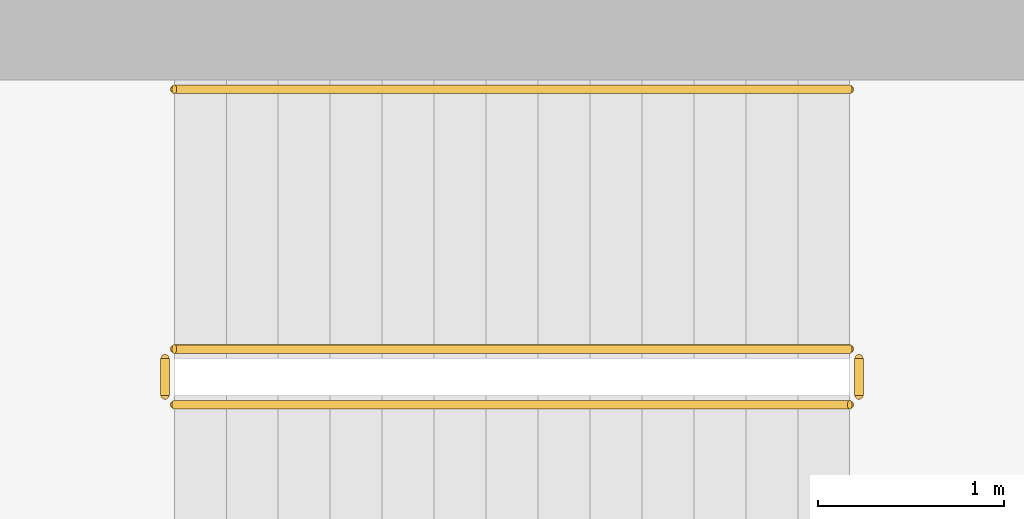
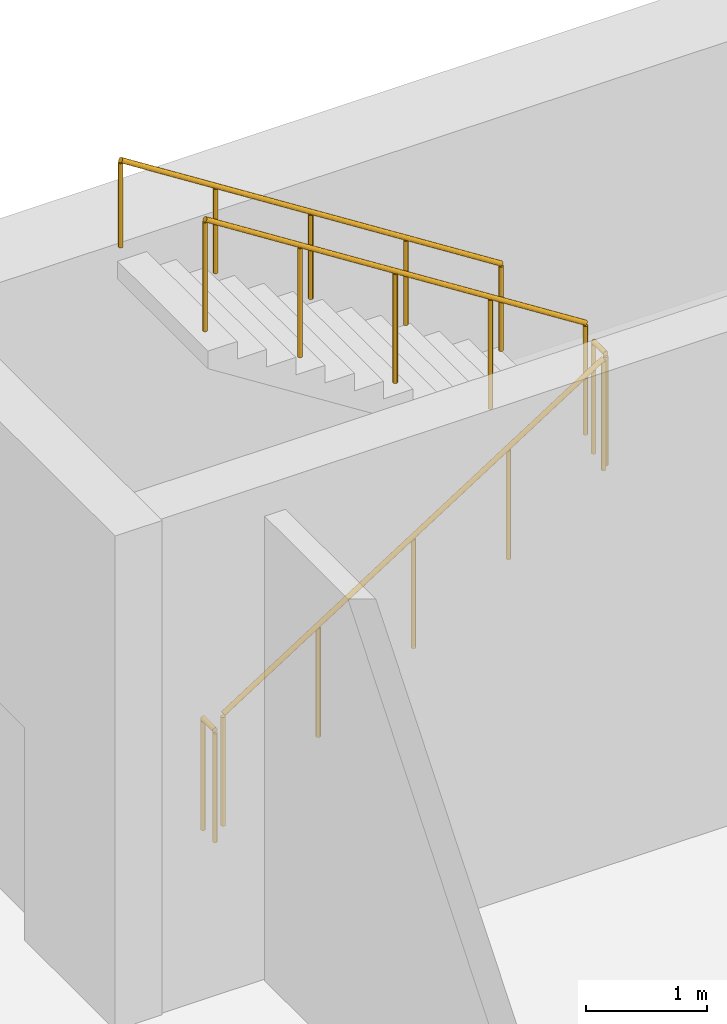
# One storey, part 16 of 16: 5 railings.
"""IFC4 building model written with IfcOpenShell, lengths in metres."""

from ifc_helpers import new_model, si_unit, derived_unit, direction, frame, origin, origin_2d, place, context, subcontext, project, spatial, circle, extrude, material, type_object, element, save


model = new_model("IFC4")

# Units and contexts
model_context = context("Model", 3, precision=1e-05, world=origin(), true_north=direction((0.0, 1.0)))
body_context = subcontext(model_context, "Body", "Model", "MODEL_VIEW")
ifc_project = project(units=[si_unit("LENGTHUNIT", "METRE"), si_unit("AREAUNIT", "SQUARE_METRE"), si_unit("VOLUMEUNIT", "CUBIC_METRE"), si_unit("PLANEANGLEUNIT", "RADIAN"), si_unit("MASSUNIT", "GRAM", prefix="KILO"), derived_unit("THERMALTRANSMITTANCEUNIT", [(si_unit("POWERUNIT", "WATT"), 1), (si_unit("LENGTHUNIT", "METRE"), -2), (si_unit("THERMODYNAMICTEMPERATUREUNIT", "KELVIN"), -1)])], contexts=[model_context])

# Site, building, storey
site_placement = place(None, origin())
site = spatial("IfcSite", under=ifc_project, at=site_placement, CompositionType="ELEMENT")
building_placement = place(site_placement, origin())
building = spatial("IfcBuilding", under=site, at=building_placement, Name="Skarnbrae Concourse Arena and Tower", CompositionType="ELEMENT")
storey_placement = place(building_placement, frame((0.0, 0.0, -5.0)))
storey = spatial("IfcBuildingStorey", under=building, at=storey_placement, Name="B01", CompositionType="ELEMENT", Elevation=-5.0)

# Railings
ifc_material = material(Name="Steel CSA G40.21 350W", Category="steel")
railing_type_1 = type_object("IfcRailingType", Name="RAIL-HANDRAIL-900", PredefinedType="HANDRAIL", material=ifc_material)
railing_1_placement = place(storey_placement, frame((72.840087890625, 55.14990234375, 2.678466796875)))
element("IfcRailing", 1, at=railing_1_placement, inside=storey, type_object=railing_type_1, Name="B01 ST-B4 stair handrail 2", PredefinedType="HANDRAIL", context=body_context, shape_type="SweptSolid", body=[
    extrude(circle(Radius=0.02392578125, at=origin_2d()), frame((0.0, 0.0, 0.8759765625), z_axis=(-0.843127859045, 0.0, 0.537713132908), x_axis=(0.0, -1.0, 0.0)), (0.0, 0.0, 1.0), 4.3173828125),
    extrude(circle(Radius=0.02099609375, at=origin_2d()), origin(), (0.0, 0.0, 1.0), 0.851806640625),
    extrude(circle(Radius=0.02099609375, at=origin_2d()), frame((-0.91015625, 0.0, 0.580322265625)), (0.0, 0.0, 1.0), 0.851806640625),
    extrude(circle(Radius=0.02099609375, at=origin_2d()), frame((-1.820068359375, 0.0, 1.16064453125)), (0.0, 0.0, 1.0), 0.851806640625),
    extrude(circle(Radius=0.02099609375, at=origin_2d()), frame((-2.72998046875, 0.0, 1.7412109375)), (0.0, 0.0, 1.0), 0.851806640625),
    extrude(circle(Radius=0.02099609375, at=origin_2d()), frame((-3.64013671875, 0.0, 2.321533203125)), (0.0, 0.0, 1.0), 0.851806640625),
])
railing_type_2 = type_object("IfcRailingType", Name="RAIL-STAIR-GUARD-1150", PredefinedType="GUARDRAIL", material=ifc_material)
railing_2_placement = place(storey_placement, frame((69.199951171875, 53.449951171875, 0.178466796875)))
element("IfcRailing", 2, at=railing_2_placement, inside=storey, type_object=railing_type_2, Name="B01 ST-B4 stair guard 1", PredefinedType="GUARDRAIL", context=body_context, shape_type="SweptSolid", body=[
    extrude(circle(Radius=0.02392578125, at=origin_2d()), frame((0.0, 0.0, 1.1259765625), z_axis=(0.843127859045, 0.0, 0.537713132908), x_axis=(0.0, 1.0, 0.0)), (0.0, 0.0, 1.0), 4.3173828125),
    extrude(circle(Radius=0.02099609375, at=origin_2d()), origin(), (0.0, 0.0, 1.0), 1.101806640625),
    extrude(circle(Radius=0.02099609375, at=origin_2d()), frame((0.91015625, 0.0, 0.580322265625)), (0.0, 0.0, 1.0), 1.101806640625),
    extrude(circle(Radius=0.02099609375, at=origin_2d()), frame((1.820068359375, 0.0, 1.16064453125)), (0.0, 0.0, 1.0), 1.101806640625),
    extrude(circle(Radius=0.02099609375, at=origin_2d()), frame((2.72998046875, 0.0, 1.7412109375)), (0.0, 0.0, 1.0), 1.101806640625),
    extrude(circle(Radius=0.02099609375, at=origin_2d()), frame((3.64013671875, 0.0, 2.321533203125)), (0.0, 0.0, 1.0), 1.101806640625),
])
railing_3_placement = place(storey_placement, frame((72.889892578125, 53.5, 2.5)))
element("IfcRailing", 3, at=railing_3_placement, inside=storey, type_object=railing_type_2, Name="B01 ST-B4 stair guard 2", PredefinedType="GUARDRAIL", context=body_context, shape_type="SweptSolid", body=[
    extrude(circle(Radius=0.02392578125, at=origin_2d()), frame((0.0, 0.0, 1.1259765625), z_axis=(0.0, 1.0, 0.0), x_axis=(-1.0, 0.0, 0.0)), (0.0, 0.0, 1.0), 0.199951171875),
    extrude(circle(Radius=0.02099609375, at=origin_2d()), origin(), (0.0, 0.0, 1.0), 1.101806640625),
    extrude(circle(Radius=0.02099609375, at=origin_2d()), frame((0.0, 0.199951171875, 0.0)), (0.0, 0.0, 1.0), 1.101806640625),
])
railing_4_placement = place(storey_placement, frame((72.840087890625, 53.75, 2.678466796875)))
element("IfcRailing", 4, at=railing_4_placement, inside=storey, type_object=railing_type_2, Name="B01 ST-B4 stair guard 3", PredefinedType="GUARDRAIL", context=body_context, shape_type="SweptSolid", body=[
    extrude(circle(Radius=0.02392578125, at=origin_2d()), frame((0.0, 0.0, 1.1259765625), z_axis=(-0.843127859045, 0.0, 0.537713132908), x_axis=(0.0, -1.0, 0.0)), (0.0, 0.0, 1.0), 4.3173828125),
    extrude(circle(Radius=0.02099609375, at=origin_2d()), origin(), (0.0, 0.0, 1.0), 1.101806640625),
    extrude(circle(Radius=0.02099609375, at=origin_2d()), frame((-0.91015625, 0.0, 0.580322265625)), (0.0, 0.0, 1.0), 1.101806640625),
    extrude(circle(Radius=0.02099609375, at=origin_2d()), frame((-1.820068359375, 0.0, 1.16064453125)), (0.0, 0.0, 1.0), 1.101806640625),
    extrude(circle(Radius=0.02099609375, at=origin_2d()), frame((-2.72998046875, 0.0, 1.7412109375)), (0.0, 0.0, 1.0), 1.101806640625),
    extrude(circle(Radius=0.02099609375, at=origin_2d()), frame((-3.64013671875, 0.0, 2.321533203125)), (0.0, 0.0, 1.0), 1.101806640625),
])
railing_5_placement = place(storey_placement, frame((69.14990234375, 53.5, 0.0)))
element("IfcRailing", 5, at=railing_5_placement, inside=storey, type_object=railing_type_2, Name="B01 ST-B4 stair guard 4", PredefinedType="GUARDRAIL", context=body_context, shape_type="SweptSolid", body=[
    extrude(circle(Radius=0.02392578125, at=origin_2d()), frame((0.0, 0.0, 1.1259765625), z_axis=(0.0, 1.0, 0.0), x_axis=(-1.0, 0.0, 0.0)), (0.0, 0.0, 1.0), 0.199951171875),
    extrude(circle(Radius=0.02099609375, at=origin_2d()), origin(), (0.0, 0.0, 1.0), 1.101806640625),
    extrude(circle(Radius=0.02099609375, at=origin_2d()), frame((0.0, 0.199951171875, 0.0)), (0.0, 0.0, 1.0), 1.101806640625),
])

save(model, "model.ifc")
